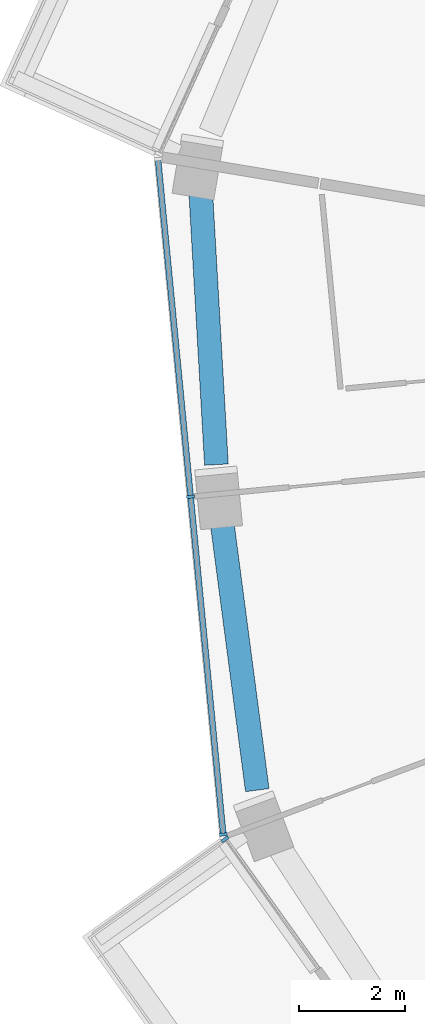
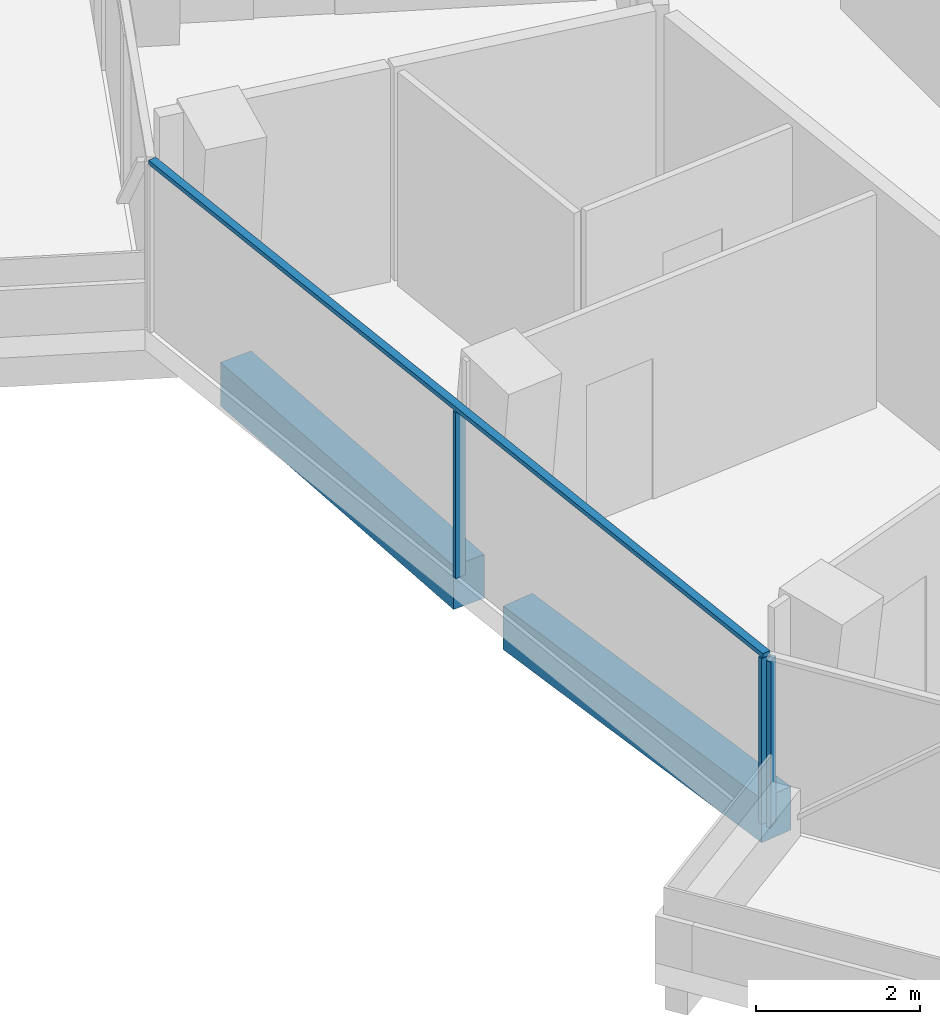
# One storey, part 4 of 22: 4 members, 2 beams, 2 elements without a shape of their own.
"""IFC4 building model written with IfcOpenShell, lengths in metres."""

from ifc_helpers import new_model, si_unit, direction, frame, origin, origin_2d, place, context, subcontext, project, spatial, rectangle, extrude, material, layer, layer_set, material_profile, profile_set, type_object, element, aggregate, save


model = new_model("IFC4")

# Units and contexts
model_context = context("Model", 3, precision=1e-05, world=origin(), true_north=direction((0.0, 1.0)))
body_context = subcontext(model_context, "Body", "Model", "MODEL_VIEW")
ifc_project = project(units=[si_unit("LENGTHUNIT", "METRE"), si_unit("AREAUNIT", "SQUARE_METRE"), si_unit("VOLUMEUNIT", "CUBIC_METRE"), si_unit("PLANEANGLEUNIT", "RADIAN"), si_unit("MASSUNIT", "GRAM", prefix="KILO")], contexts=[model_context])

# Site, building, storey
site_placement = place(None, origin())
site = spatial("IfcSite", under=ifc_project, at=site_placement, CompositionType="ELEMENT")
building_placement = place(site_placement, origin())
building = spatial("IfcBuilding", under=site, at=building_placement, Name="Verdalira Terraces Hotel", CompositionType="ELEMENT")
storey_placement = place(building_placement, frame((0.0, 0.0, 180.0)))
storey = spatial("IfcBuildingStorey", under=building, at=storey_placement, Name="L43", CompositionType="ELEMENT", Elevation=180.0)

# Curtain wall, members
ifc_material_1 = material(Name="Clear glass", Category="glass")
ifc_layer = layer(ifc_material_1, 0.14990234375)
ifc_layer_set = layer_set([ifc_layer], Name="CW1 curtain wall")
curtain_wall_type = type_object("IfcCurtainWallType", Name="CW1 curtain wall", PredefinedType="NOTDEFINED", material=ifc_layer_set)
curtain_wall_1_placement = place(storey_placement, origin())
curtain_wall_1 = element("IfcCurtainWall", 1, at=curtain_wall_1_placement, inside=storey, type_object=curtain_wall_type, Name="CW1 curtain wall L43 edge 12", PredefinedType="NOTDEFINED")
ifc_material_2 = material(Name="Terracotta frame", Category="masonry")
ifc_material_profile_1 = material_profile(ifc_material_2, rectangle(XDim=0.060059, YDim=0.149902, at=origin_2d()), Name="MU 60x150")
ifc_profile_set_1 = profile_set([ifc_material_profile_1], Name="Terracotta frame")
member_type_1 = type_object("IfcMemberType", Name="CW1 mullion 60x150", PredefinedType="MULLION", material=ifc_profile_set_1)
member_1_placement = place(storey_placement, frame((-24.071289, -2.326172, 0.0), z_axis=(0.0, 0.0, 1.0), x_axis=(0.096193205, -0.995362681, 0.0)))
member_1 = element("IfcMember", 2, at=member_1_placement, type_object=member_type_1, Name="CW1 mullion", PredefinedType="MULLION", context=body_context, shape_type="SweptSolid", body=[
    extrude(rectangle(XDim=0.060059, YDim=0.149902, at=origin_2d()), origin(), (0.0, 0.0, 1.0), 2.475098),
])
member_2_placement = place(storey_placement, frame((-23.452637, -8.726318, 0.0), z_axis=(0.0, 0.0, 1.0), x_axis=(0.096193205, -0.995362681, 0.0)))
member_2 = element("IfcMember", 3, at=member_2_placement, type_object=member_type_1, Name="CW1 mullion", PredefinedType="MULLION", context=body_context, shape_type="SweptSolid", body=[
    extrude(rectangle(XDim=0.060059, YDim=0.149902, at=origin_2d()), origin(), (0.0, 0.0, 1.0), 2.475098),
])

# Curtain wall, member
curtain_wall_2_placement = place(storey_placement, origin())
curtain_wall_2 = element("IfcCurtainWall", 4, at=curtain_wall_2_placement, inside=storey, type_object=curtain_wall_type, Name="CW1 curtain wall L43 edge 13", PredefinedType="NOTDEFINED")
member_3_placement = place(storey_placement, frame((-23.418701, -8.816895, 0.0), z_axis=(0.0, 0.0, 1.0), x_axis=(0.5809871, -0.813912765, 0.0)))
member_3 = element("IfcMember", 5, at=member_3_placement, type_object=member_type_1, Name="CW1 mullion", PredefinedType="MULLION", context=body_context, shape_type="SweptSolid", body=[
    extrude(rectangle(XDim=0.060059, YDim=0.149902, at=origin_2d()), origin(), (0.0, 0.0, 1.0), 2.475098),
])
aggregate(curtain_wall_2, [member_3])

# Member
ifc_material_3 = material(Name="Terracotta frame", Category="masonry")
ifc_material_profile_2 = material_profile(ifc_material_3, rectangle(XDim=0.110107, YDim=0.064941, at=origin_2d()), Name="TR 65x110")
ifc_profile_set_2 = profile_set([ifc_material_profile_2], Name="Terracotta frame")
member_type_2 = type_object("IfcMemberType", Name="CW1 transom 65x110", PredefinedType="USERDEFINED", material=ifc_profile_set_2)
member_4_placement = place(storey_placement, frame((-24.692627, 4.103516, 2.507568), z_axis=(0.096204617, -0.995361578, 0.0), x_axis=(0.995361578, 0.096204617, 0.0)))
member_4 = element("IfcMember", 6, at=member_4_placement, type_object=member_type_2, Name="CW1 transom", ObjectType="TRANSOM", PredefinedType="USERDEFINED", context=body_context, shape_type="SweptSolid", body=[
    extrude(rectangle(XDim=0.110107, YDim=0.064941, at=origin_2d()), origin(), (0.0, 0.0, 1.0), 12.919434),
])

aggregate(curtain_wall_1, [member_1, member_2, member_4])

# Beams
ifc_material_4 = material(Name="Concrete C50", Category="concrete")
ifc_material_profile_3 = material_profile(ifc_material_4, rectangle(XDim=0.449951, YDim=0.649902, at=origin_2d()), Name="RC 450X650")
ifc_profile_set_3 = profile_set([ifc_material_profile_3], Name="Concrete C50")
beam_type = type_object("IfcBeamType", Name="Spandrel beam RC 450X650 C50", PredefinedType="SPANDREL", material=ifc_profile_set_3)
beam_1_placement = place(storey_placement, frame((-23.881104, 3.46582, -0.63501), z_axis=(0.057553275, -0.998342436, 0.0), x_axis=(0.998342436, 0.057553275, 0.0)))
element("IfcBeam", 7, at=beam_1_placement, inside=storey, type_object=beam_type, Name="Spandrel beam B06", PredefinedType="SPANDREL", context=body_context, shape_type="SweptSolid", body=[
    extrude(rectangle(XDim=0.449951, YDim=0.649902, at=origin_2d()), origin(), (0.0, 0.0, 1.0), 5.192139),
])
beam_2_placement = place(storey_placement, frame((-23.485107, -2.740967, -0.63501), z_axis=(0.130459381, -0.991453655, 0.0), x_axis=(0.991453655, 0.130459381, 0.0)))
element("IfcBeam", 8, at=beam_2_placement, inside=storey, type_object=beam_type, Name="Spandrel beam B07", PredefinedType="SPANDREL", context=body_context, shape_type="SweptSolid", body=[
    extrude(rectangle(XDim=0.449951, YDim=0.649902, at=origin_2d()), origin(), (0.0, 0.0, 1.0), 5.189453),
])

save(model, "model.ifc")
